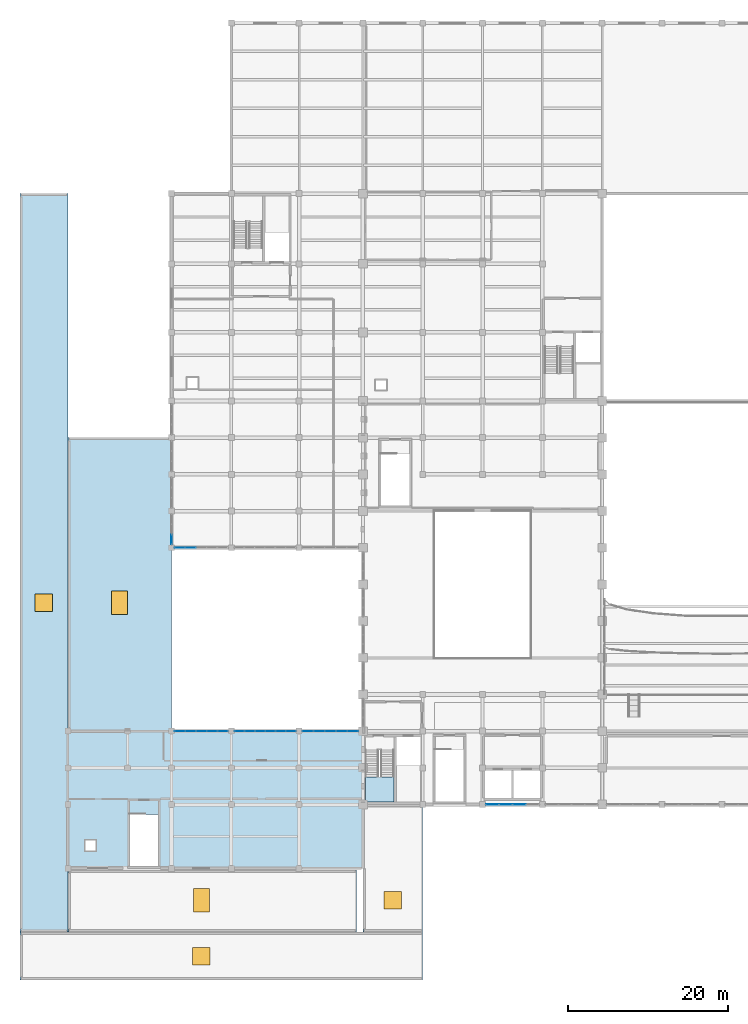
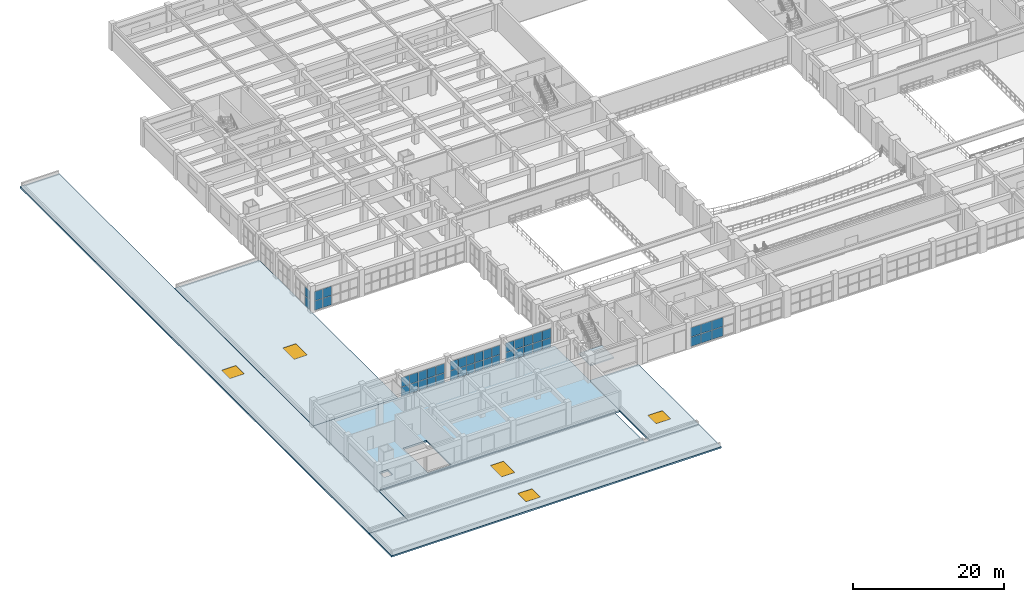
# One storey, part 54 of 90: 44 plates, 7 slabs, 5 windows, 5 openings, 7 elements without a shape of their own.
"""IFC4 building model written with IfcOpenShell, lengths in metres."""

from ifc_helpers import new_model, si_unit, direction, frame, origin, origin_2d, place, context, subcontext, project, spatial, polyline, rectangle, outline, extrude, material, layer, layer_set, type_object, element, fill, aggregate, save


model = new_model("IFC4")

# Units and contexts
model_context = context("Model", 3, precision=1e-05, world=origin(), true_north=direction((0.0, 1.0)))
body_context = subcontext(model_context, "Body", "Model", "MODEL_VIEW")
ifc_project = project(units=[si_unit("LENGTHUNIT", "METRE"), si_unit("AREAUNIT", "SQUARE_METRE"), si_unit("VOLUMEUNIT", "CUBIC_METRE"), si_unit("PLANEANGLEUNIT", "RADIAN"), si_unit("MASSUNIT", "GRAM", prefix="KILO")], contexts=[model_context])

# Site, building, storey
site_placement = place(None, origin())
site = spatial("IfcSite", under=ifc_project, at=site_placement, CompositionType="ELEMENT")
building_placement = place(site_placement, origin())
building = spatial("IfcBuilding", under=site, at=building_placement, Name="Muzn Square Opera House", CompositionType="ELEMENT")
storey_placement = place(building_placement, frame((0.0, 0.0, 9.800048828125)))
storey = spatial("IfcBuildingStorey", under=building, at=storey_placement, Name="L02", CompositionType="ELEMENT", Elevation=9.800048828125)

# Curtain wall, plates
ifc_material_1 = material(Name="Low-E laminated acoustic double glazing", Category="glass")
ifc_layer_1 = layer(ifc_material_1, 0.159912109375, Name="Low-E laminated acoustic double glazing", Category="glass")
ifc_layer_set_1 = layer_set([ifc_layer_1], Name="Low-E laminated acoustic double glazing")
curtain_wall_type_1 = type_object("IfcCurtainWallType", Name="Glazed Curtain Wall Forecourt 6750x3150", PredefinedType="USERDEFINED", material=ifc_layer_set_1)
curtain_wall_1_placement = place(storey_placement, origin())
curtain_wall_1 = element("IfcCurtainWall", 1, at=curtain_wall_1_placement, inside=storey, type_object=curtain_wall_type_1, Name="Glazed Curtain Wall CW-L02-011", ObjectType="GLAZED CURTAIN WALL", PredefinedType="USERDEFINED")
ifc_layer_2 = layer(ifc_material_1, 0.028076171875, Name="Low-E laminated acoustic double glazing", Category="glass")
ifc_layer_set_2 = layer_set([ifc_layer_2], Name="Low-E laminated acoustic double glazing")
plate_type = type_object("IfcPlateType", Name="Curtain Wall Acoustic Glazed Panel 28mm", PredefinedType="CURTAIN_PANEL", material=ifc_layer_set_2)
plate_1_placement = place(storey_placement, frame((59.233642578125, 22.0, 0.06005859375), z_axis=(0.0, 0.0, 1.0), x_axis=(1.0, 0.0, 0.0)))
plate_1 = element("IfcPlate", 2, at=plate_1_placement, type_object=plate_type, Name="CW-FC-67x31 panel 1.1", PredefinedType="CURTAIN_PANEL", context=body_context, shape_type="SweptSolid", body=[
    extrude(rectangle(XDim=1.597412109375, YDim=0.028076171875, at=origin_2d()), origin(), (0.0, 0.0, 1.0), 1.485107421875),
])
plate_2_placement = place(storey_placement, frame((59.233642578125, 22.0, 1.60498046875), z_axis=(0.0, 0.0, 1.0), x_axis=(1.0, 0.0, 0.0)))
plate_2 = element("IfcPlate", 3, at=plate_2_placement, type_object=plate_type, Name="CW-FC-67x31 panel 1.2", PredefinedType="CURTAIN_PANEL", context=body_context, shape_type="SweptSolid", body=[
    extrude(rectangle(XDim=1.597412109375, YDim=0.028076171875, at=origin_2d()), origin(), (0.0, 0.0, 1.0), 1.485107421875),
])
plate_3_placement = place(storey_placement, frame((60.90625, 22.0, 0.06005859375), z_axis=(0.0, 0.0, 1.0), x_axis=(1.0, 0.0, 0.0)))
plate_3 = element("IfcPlate", 4, at=plate_3_placement, type_object=plate_type, Name="CW-FC-67x31 panel 2.1", PredefinedType="CURTAIN_PANEL", context=body_context, shape_type="SweptSolid", body=[
    extrude(rectangle(XDim=1.62744140625, YDim=0.028076171875, at=origin_2d()), origin(), (0.0, 0.0, 1.0), 1.485107421875),
])
plate_4_placement = place(storey_placement, frame((60.90625, 22.0, 1.60498046875), z_axis=(0.0, 0.0, 1.0), x_axis=(1.0, 0.0, 0.0)))
plate_4 = element("IfcPlate", 5, at=plate_4_placement, type_object=plate_type, Name="CW-FC-67x31 panel 2.2", PredefinedType="CURTAIN_PANEL", context=body_context, shape_type="SweptSolid", body=[
    extrude(rectangle(XDim=1.62744140625, YDim=0.028076171875, at=origin_2d()), origin(), (0.0, 0.0, 1.0), 1.485107421875),
])
plate_5_placement = place(storey_placement, frame((62.59375, 22.0, 0.06005859375), z_axis=(0.0, 0.0, 1.0), x_axis=(1.0, 0.0, 0.0)))
plate_5 = element("IfcPlate", 6, at=plate_5_placement, type_object=plate_type, Name="CW-FC-67x31 panel 3.1", PredefinedType="CURTAIN_PANEL", context=body_context, shape_type="SweptSolid", body=[
    extrude(rectangle(XDim=1.62744140625, YDim=0.028076171875, at=origin_2d()), origin(), (0.0, 0.0, 1.0), 1.485107421875),
])
plate_6_placement = place(storey_placement, frame((62.59375, 22.0, 1.60498046875), z_axis=(0.0, 0.0, 1.0), x_axis=(1.0, 0.0, 0.0)))
plate_6 = element("IfcPlate", 7, at=plate_6_placement, type_object=plate_type, Name="CW-FC-67x31 panel 3.2", PredefinedType="CURTAIN_PANEL", context=body_context, shape_type="SweptSolid", body=[
    extrude(rectangle(XDim=1.62744140625, YDim=0.028076171875, at=origin_2d()), origin(), (0.0, 0.0, 1.0), 1.485107421875),
])
aggregate(curtain_wall_1, [plate_1, plate_2, plate_3, plate_4, plate_5, plate_6])

ifc_layer_3 = layer(ifc_material_1, 0.159912109375, Name="Low-E laminated acoustic double glazing", Category="glass")
ifc_layer_set_3 = layer_set([ifc_layer_3], Name="Low-E laminated acoustic double glazing")
curtain_wall_type_2 = type_object("IfcCurtainWallType", Name="Glazed Curtain Wall WestCloisterS 6750x3150", PredefinedType="USERDEFINED", material=ifc_layer_set_3)
curtain_wall_2_placement = place(storey_placement, origin())
curtain_wall_2 = element("IfcCurtainWall", 8, at=curtain_wall_2_placement, inside=storey, type_object=curtain_wall_type_2, Name="Glazed Curtain Wall CW-L02-093", ObjectType="GLAZED CURTAIN WALL", PredefinedType="USERDEFINED")
plate_7_placement = place(storey_placement, frame((20.06494140625, 31.199951171875, 0.06005859375), z_axis=(0.0, 0.0, 1.0), x_axis=(1.0, 0.0, 0.0)))
plate_7 = element("IfcPlate", 9, at=plate_7_placement, type_object=plate_type, Name="CW-WCS-67x31 panel 1.1", PredefinedType="CURTAIN_PANEL", context=body_context, shape_type="SweptSolid", body=[
    extrude(rectangle(XDim=1.260009765625, YDim=0.028076171875, at=origin_2d()), origin(), (0.0, 0.0, 1.0), 1.485107421875),
])
plate_8_placement = place(storey_placement, frame((20.06494140625, 31.199951171875, 1.60498046875), z_axis=(0.0, 0.0, 1.0), x_axis=(1.0, 0.0, 0.0)))
plate_8 = element("IfcPlate", 10, at=plate_8_placement, type_object=plate_type, Name="CW-WCS-67x31 panel 1.2", PredefinedType="CURTAIN_PANEL", context=body_context, shape_type="SweptSolid", body=[
    extrude(rectangle(XDim=1.260009765625, YDim=0.028076171875, at=origin_2d()), origin(), (0.0, 0.0, 1.0), 1.485107421875),
])
plate_9_placement = place(storey_placement, frame((21.39990234375, 31.199951171875, 0.06005859375), z_axis=(0.0, 0.0, 1.0), x_axis=(1.0, 0.0, 0.0)))
plate_9 = element("IfcPlate", 11, at=plate_9_placement, type_object=plate_type, Name="CW-WCS-67x31 panel 2.1", PredefinedType="CURTAIN_PANEL", context=body_context, shape_type="SweptSolid", body=[
    extrude(rectangle(XDim=1.2900390625, YDim=0.028076171875, at=origin_2d()), origin(), (0.0, 0.0, 1.0), 1.485107421875),
])
plate_10_placement = place(storey_placement, frame((21.39990234375, 31.199951171875, 1.60498046875), z_axis=(0.0, 0.0, 1.0), x_axis=(1.0, 0.0, 0.0)))
plate_10 = element("IfcPlate", 12, at=plate_10_placement, type_object=plate_type, Name="CW-WCS-67x31 panel 2.2", PredefinedType="CURTAIN_PANEL", context=body_context, shape_type="SweptSolid", body=[
    extrude(rectangle(XDim=1.2900390625, YDim=0.028076171875, at=origin_2d()), origin(), (0.0, 0.0, 1.0), 1.485107421875),
])
plate_11_placement = place(storey_placement, frame((22.75, 31.199951171875, 0.06005859375), z_axis=(0.0, 0.0, 1.0), x_axis=(1.0, 0.0, 0.0)))
plate_11 = element("IfcPlate", 13, at=plate_11_placement, type_object=plate_type, Name="CW-WCS-67x31 panel 3.1", PredefinedType="CURTAIN_PANEL", context=body_context, shape_type="SweptSolid", body=[
    extrude(rectangle(XDim=1.2900390625, YDim=0.028076171875, at=origin_2d()), origin(), (0.0, 0.0, 1.0), 1.485107421875),
])
plate_12_placement = place(storey_placement, frame((22.75, 31.199951171875, 1.60498046875), z_axis=(0.0, 0.0, 1.0), x_axis=(1.0, 0.0, 0.0)))
plate_12 = element("IfcPlate", 14, at=plate_12_placement, type_object=plate_type, Name="CW-WCS-67x31 panel 3.2", PredefinedType="CURTAIN_PANEL", context=body_context, shape_type="SweptSolid", body=[
    extrude(rectangle(XDim=1.2900390625, YDim=0.028076171875, at=origin_2d()), origin(), (0.0, 0.0, 1.0), 1.485107421875),
])
plate_13_placement = place(storey_placement, frame((24.10009765625, 31.199951171875, 0.06005859375), z_axis=(0.0, 0.0, 1.0), x_axis=(1.0, 0.0, 0.0)))
plate_13 = element("IfcPlate", 15, at=plate_13_placement, type_object=plate_type, Name="CW-WCS-67x31 panel 4.1", PredefinedType="CURTAIN_PANEL", context=body_context, shape_type="SweptSolid", body=[
    extrude(rectangle(XDim=1.2900390625, YDim=0.028076171875, at=origin_2d()), origin(), (0.0, 0.0, 1.0), 1.485107421875),
])
plate_14_placement = place(storey_placement, frame((24.10009765625, 31.199951171875, 1.60498046875), z_axis=(0.0, 0.0, 1.0), x_axis=(1.0, 0.0, 0.0)))
plate_14 = element("IfcPlate", 16, at=plate_14_placement, type_object=plate_type, Name="CW-WCS-67x31 panel 4.2", PredefinedType="CURTAIN_PANEL", context=body_context, shape_type="SweptSolid", body=[
    extrude(rectangle(XDim=1.2900390625, YDim=0.028076171875, at=origin_2d()), origin(), (0.0, 0.0, 1.0), 1.485107421875),
])
plate_15_placement = place(storey_placement, frame((25.43505859375, 31.199951171875, 0.06005859375), z_axis=(0.0, 0.0, 1.0), x_axis=(1.0, 0.0, 0.0)))
plate_15 = element("IfcPlate", 17, at=plate_15_placement, type_object=plate_type, Name="CW-WCS-67x31 panel 5.1", PredefinedType="CURTAIN_PANEL", context=body_context, shape_type="SweptSolid", body=[
    extrude(rectangle(XDim=1.260009765625, YDim=0.028076171875, at=origin_2d()), origin(), (0.0, 0.0, 1.0), 1.485107421875),
])
plate_16_placement = place(storey_placement, frame((25.43505859375, 31.199951171875, 1.60498046875), z_axis=(0.0, 0.0, 1.0), x_axis=(1.0, 0.0, 0.0)))
plate_16 = element("IfcPlate", 18, at=plate_16_placement, type_object=plate_type, Name="CW-WCS-67x31 panel 5.2", PredefinedType="CURTAIN_PANEL", context=body_context, shape_type="SweptSolid", body=[
    extrude(rectangle(XDim=1.260009765625, YDim=0.028076171875, at=origin_2d()), origin(), (0.0, 0.0, 1.0), 1.485107421875),
])
aggregate(curtain_wall_2, [plate_7, plate_8, plate_9, plate_10, plate_11, plate_12, plate_13, plate_14, plate_15, plate_16])

ifc_layer_4 = layer(ifc_material_1, 0.159912109375, Name="Low-E laminated acoustic double glazing", Category="glass")
ifc_layer_set_4 = layer_set([ifc_layer_4], Name="Low-E laminated acoustic double glazing")
curtain_wall_type_3 = type_object("IfcCurtainWallType", Name="Glazed Curtain Wall WestCloisterN 6750x3150", PredefinedType="USERDEFINED", material=ifc_layer_set_4)
curtain_wall_3_placement = place(storey_placement, origin())
curtain_wall_3 = element("IfcCurtainWall", 19, at=curtain_wall_3_placement, inside=storey, type_object=curtain_wall_type_3, Name="Glazed Curtain Wall CW-L02-094", ObjectType="GLAZED CURTAIN WALL", PredefinedType="USERDEFINED")
plate_17_placement = place(storey_placement, frame((20.06494140625, 54.199951171875, 0.06005859375), z_axis=(0.0, 0.0, 1.0), x_axis=(1.0, 0.0, 0.0)))
plate_17 = element("IfcPlate", 20, at=plate_17_placement, type_object=plate_type, Name="CW-WCN-67x31 panel 1.1", PredefinedType="CURTAIN_PANEL", context=body_context, shape_type="SweptSolid", body=[
    extrude(rectangle(XDim=1.260009765625, YDim=0.028076171875, at=origin_2d()), origin(), (0.0, 0.0, 1.0), 1.485107421875),
])
plate_18_placement = place(storey_placement, frame((20.06494140625, 54.199951171875, 1.60498046875), z_axis=(0.0, 0.0, 1.0), x_axis=(1.0, 0.0, 0.0)))
plate_18 = element("IfcPlate", 21, at=plate_18_placement, type_object=plate_type, Name="CW-WCN-67x31 panel 1.2", PredefinedType="CURTAIN_PANEL", context=body_context, shape_type="SweptSolid", body=[
    extrude(rectangle(XDim=1.260009765625, YDim=0.028076171875, at=origin_2d()), origin(), (0.0, 0.0, 1.0), 1.485107421875),
])
plate_19_placement = place(storey_placement, frame((21.39990234375, 54.199951171875, 0.06005859375), z_axis=(0.0, 0.0, 1.0), x_axis=(1.0, 0.0, 0.0)))
plate_19 = element("IfcPlate", 22, at=plate_19_placement, type_object=plate_type, Name="CW-WCN-67x31 panel 2.1", PredefinedType="CURTAIN_PANEL", context=body_context, shape_type="SweptSolid", body=[
    extrude(rectangle(XDim=1.2900390625, YDim=0.028076171875, at=origin_2d()), origin(), (0.0, 0.0, 1.0), 1.485107421875),
])
plate_20_placement = place(storey_placement, frame((21.39990234375, 54.199951171875, 1.60498046875), z_axis=(0.0, 0.0, 1.0), x_axis=(1.0, 0.0, 0.0)))
plate_20 = element("IfcPlate", 23, at=plate_20_placement, type_object=plate_type, Name="CW-WCN-67x31 panel 2.2", PredefinedType="CURTAIN_PANEL", context=body_context, shape_type="SweptSolid", body=[
    extrude(rectangle(XDim=1.2900390625, YDim=0.028076171875, at=origin_2d()), origin(), (0.0, 0.0, 1.0), 1.485107421875),
])
aggregate(curtain_wall_3, [plate_17, plate_18, plate_19, plate_20])

ifc_layer_5 = layer(ifc_material_1, 0.159912109375, Name="Low-E laminated acoustic double glazing", Category="glass")
ifc_layer_set_5 = layer_set([ifc_layer_5], Name="Low-E laminated acoustic double glazing")
curtain_wall_type_4 = type_object("IfcCurtainWallType", Name="Glazed Curtain Wall WestCloisterS 7750x3150", PredefinedType="USERDEFINED", material=ifc_layer_set_5)
curtain_wall_4_placement = place(storey_placement, origin())
curtain_wall_4 = element("IfcCurtainWall", 24, at=curtain_wall_4_placement, inside=storey, type_object=curtain_wall_type_4, Name="Glazed Curtain Wall CW-L02-095", ObjectType="GLAZED CURTAIN WALL", PredefinedType="USERDEFINED")
plate_21_placement = place(storey_placement, frame((27.535888671875, 31.199951171875, 0.06005859375), z_axis=(0.0, 0.0, 1.0), x_axis=(1.0, 0.0, 0.0)))
plate_21 = element("IfcPlate", 25, at=plate_21_placement, type_object=plate_type, Name="CW-WCS-77x31 panel 1.1", PredefinedType="CURTAIN_PANEL", context=body_context, shape_type="SweptSolid", body=[
    extrude(rectangle(XDim=1.20166015625, YDim=0.028076171875, at=origin_2d()), origin(), (0.0, 0.0, 1.0), 1.485107421875),
])
plate_22_placement = place(storey_placement, frame((27.535888671875, 31.199951171875, 1.60498046875), z_axis=(0.0, 0.0, 1.0), x_axis=(1.0, 0.0, 0.0)))
plate_22 = element("IfcPlate", 26, at=plate_22_placement, type_object=plate_type, Name="CW-WCS-77x31 panel 1.2", PredefinedType="CURTAIN_PANEL", context=body_context, shape_type="SweptSolid", body=[
    extrude(rectangle(XDim=1.20166015625, YDim=0.028076171875, at=origin_2d()), origin(), (0.0, 0.0, 1.0), 1.485107421875),
])
plate_23_placement = place(storey_placement, frame((28.8125, 31.199951171875, 0.06005859375), z_axis=(0.0, 0.0, 1.0), x_axis=(1.0, 0.0, 0.0)))
plate_23 = element("IfcPlate", 27, at=plate_23_placement, type_object=plate_type, Name="CW-WCS-77x31 panel 2.1", PredefinedType="CURTAIN_PANEL", context=body_context, shape_type="SweptSolid", body=[
    extrude(rectangle(XDim=1.231689453125, YDim=0.028076171875, at=origin_2d()), origin(), (0.0, 0.0, 1.0), 1.485107421875),
])
plate_24_placement = place(storey_placement, frame((28.8125, 31.199951171875, 1.60498046875), z_axis=(0.0, 0.0, 1.0), x_axis=(1.0, 0.0, 0.0)))
plate_24 = element("IfcPlate", 28, at=plate_24_placement, type_object=plate_type, Name="CW-WCS-77x31 panel 2.2", PredefinedType="CURTAIN_PANEL", context=body_context, shape_type="SweptSolid", body=[
    extrude(rectangle(XDim=1.231689453125, YDim=0.028076171875, at=origin_2d()), origin(), (0.0, 0.0, 1.0), 1.485107421875),
])
plate_25_placement = place(storey_placement, frame((30.104248046875, 31.199951171875, 0.06005859375), z_axis=(0.0, 0.0, 1.0), x_axis=(1.0, 0.0, 0.0)))
plate_25 = element("IfcPlate", 29, at=plate_25_placement, type_object=plate_type, Name="CW-WCS-77x31 panel 3.1", PredefinedType="CURTAIN_PANEL", context=body_context, shape_type="SweptSolid", body=[
    extrude(rectangle(XDim=1.231689453125, YDim=0.028076171875, at=origin_2d()), origin(), (0.0, 0.0, 1.0), 1.485107421875),
])
plate_26_placement = place(storey_placement, frame((30.104248046875, 31.199951171875, 1.60498046875), z_axis=(0.0, 0.0, 1.0), x_axis=(1.0, 0.0, 0.0)))
plate_26 = element("IfcPlate", 30, at=plate_26_placement, type_object=plate_type, Name="CW-WCS-77x31 panel 3.2", PredefinedType="CURTAIN_PANEL", context=body_context, shape_type="SweptSolid", body=[
    extrude(rectangle(XDim=1.231689453125, YDim=0.028076171875, at=origin_2d()), origin(), (0.0, 0.0, 1.0), 1.485107421875),
])
plate_27_placement = place(storey_placement, frame((31.395751953125, 31.199951171875, 0.06005859375), z_axis=(0.0, 0.0, 1.0), x_axis=(1.0, 0.0, 0.0)))
plate_27 = element("IfcPlate", 31, at=plate_27_placement, type_object=plate_type, Name="CW-WCS-77x31 panel 4.1", PredefinedType="CURTAIN_PANEL", context=body_context, shape_type="SweptSolid", body=[
    extrude(rectangle(XDim=1.231689453125, YDim=0.028076171875, at=origin_2d()), origin(), (0.0, 0.0, 1.0), 1.485107421875),
])
plate_28_placement = place(storey_placement, frame((31.395751953125, 31.199951171875, 1.60498046875), z_axis=(0.0, 0.0, 1.0), x_axis=(1.0, 0.0, 0.0)))
plate_28 = element("IfcPlate", 32, at=plate_28_placement, type_object=plate_type, Name="CW-WCS-77x31 panel 4.2", PredefinedType="CURTAIN_PANEL", context=body_context, shape_type="SweptSolid", body=[
    extrude(rectangle(XDim=1.231689453125, YDim=0.028076171875, at=origin_2d()), origin(), (0.0, 0.0, 1.0), 1.485107421875),
])
plate_29_placement = place(storey_placement, frame((32.6875, 31.199951171875, 0.06005859375), z_axis=(0.0, 0.0, 1.0), x_axis=(1.0, 0.0, 0.0)))
plate_29 = element("IfcPlate", 33, at=plate_29_placement, type_object=plate_type, Name="CW-WCS-77x31 panel 5.1", PredefinedType="CURTAIN_PANEL", context=body_context, shape_type="SweptSolid", body=[
    extrude(rectangle(XDim=1.231689453125, YDim=0.028076171875, at=origin_2d()), origin(), (0.0, 0.0, 1.0), 1.485107421875),
])
plate_30_placement = place(storey_placement, frame((32.6875, 31.199951171875, 1.60498046875), z_axis=(0.0, 0.0, 1.0), x_axis=(1.0, 0.0, 0.0)))
plate_30 = element("IfcPlate", 34, at=plate_30_placement, type_object=plate_type, Name="CW-WCS-77x31 panel 5.2", PredefinedType="CURTAIN_PANEL", context=body_context, shape_type="SweptSolid", body=[
    extrude(rectangle(XDim=1.231689453125, YDim=0.028076171875, at=origin_2d()), origin(), (0.0, 0.0, 1.0), 1.485107421875),
])
plate_31_placement = place(storey_placement, frame((33.964111328125, 31.199951171875, 0.06005859375), z_axis=(0.0, 0.0, 1.0), x_axis=(1.0, 0.0, 0.0)))
plate_31 = element("IfcPlate", 35, at=plate_31_placement, type_object=plate_type, Name="CW-WCS-77x31 panel 6.1", PredefinedType="CURTAIN_PANEL", context=body_context, shape_type="SweptSolid", body=[
    extrude(rectangle(XDim=1.20166015625, YDim=0.028076171875, at=origin_2d()), origin(), (0.0, 0.0, 1.0), 1.485107421875),
])
plate_32_placement = place(storey_placement, frame((33.964111328125, 31.199951171875, 1.60498046875), z_axis=(0.0, 0.0, 1.0), x_axis=(1.0, 0.0, 0.0)))
plate_32 = element("IfcPlate", 36, at=plate_32_placement, type_object=plate_type, Name="CW-WCS-77x31 panel 6.2", PredefinedType="CURTAIN_PANEL", context=body_context, shape_type="SweptSolid", body=[
    extrude(rectangle(XDim=1.20166015625, YDim=0.028076171875, at=origin_2d()), origin(), (0.0, 0.0, 1.0), 1.485107421875),
])
aggregate(curtain_wall_4, [plate_21, plate_22, plate_23, plate_24, plate_25, plate_26, plate_27, plate_28, plate_29, plate_30, plate_31, plate_32])

ifc_layer_6 = layer(ifc_material_1, 0.159912109375, Name="Low-E laminated acoustic double glazing", Category="glass")
ifc_layer_set_6 = layer_set([ifc_layer_6], Name="Low-E laminated acoustic double glazing")
curtain_wall_type_5 = type_object("IfcCurtainWallType", Name="Glazed Curtain Wall WestCloisterS 7075x3150", PredefinedType="USERDEFINED", material=ifc_layer_set_6)
curtain_wall_5_placement = place(storey_placement, origin())
curtain_wall_5 = element("IfcCurtainWall", 37, at=curtain_wall_5_placement, inside=storey, type_object=curtain_wall_type_5, Name="Glazed Curtain Wall CW-L02-097", ObjectType="GLAZED CURTAIN WALL", PredefinedType="USERDEFINED")
plate_33_placement = place(storey_placement, frame((36.097412109375, 31.199951171875, 0.06005859375), z_axis=(0.0, 0.0, 1.0), x_axis=(1.0, 0.0, 0.0)))
plate_33 = element("IfcPlate", 38, at=plate_33_placement, type_object=plate_type, Name="CW-WCS-70x31 panel 1.1", PredefinedType="CURTAIN_PANEL", context=body_context, shape_type="SweptSolid", body=[
    extrude(rectangle(XDim=1.324951171875, YDim=0.028076171875, at=origin_2d()), origin(), (0.0, 0.0, 1.0), 1.485107421875),
])
plate_34_placement = place(storey_placement, frame((36.097412109375, 31.199951171875, 1.60498046875), z_axis=(0.0, 0.0, 1.0), x_axis=(1.0, 0.0, 0.0)))
plate_34 = element("IfcPlate", 39, at=plate_34_placement, type_object=plate_type, Name="CW-WCS-70x31 panel 1.2", PredefinedType="CURTAIN_PANEL", context=body_context, shape_type="SweptSolid", body=[
    extrude(rectangle(XDim=1.324951171875, YDim=0.028076171875, at=origin_2d()), origin(), (0.0, 0.0, 1.0), 1.485107421875),
])
plate_35_placement = place(storey_placement, frame((37.49755859375, 31.199951171875, 0.06005859375), z_axis=(0.0, 0.0, 1.0), x_axis=(1.0, 0.0, 0.0)))
plate_35 = element("IfcPlate", 40, at=plate_35_placement, type_object=plate_type, Name="CW-WCS-70x31 panel 2.1", PredefinedType="CURTAIN_PANEL", context=body_context, shape_type="SweptSolid", body=[
    extrude(rectangle(XDim=1.35498046875, YDim=0.028076171875, at=origin_2d()), origin(), (0.0, 0.0, 1.0), 1.485107421875),
])
plate_36_placement = place(storey_placement, frame((37.49755859375, 31.199951171875, 1.60498046875), z_axis=(0.0, 0.0, 1.0), x_axis=(1.0, 0.0, 0.0)))
plate_36 = element("IfcPlate", 41, at=plate_36_placement, type_object=plate_type, Name="CW-WCS-70x31 panel 2.2", PredefinedType="CURTAIN_PANEL", context=body_context, shape_type="SweptSolid", body=[
    extrude(rectangle(XDim=1.35498046875, YDim=0.028076171875, at=origin_2d()), origin(), (0.0, 0.0, 1.0), 1.485107421875),
])
plate_37_placement = place(storey_placement, frame((38.91259765625, 31.199951171875, 0.06005859375), z_axis=(0.0, 0.0, 1.0), x_axis=(1.0, 0.0, 0.0)))
plate_37 = element("IfcPlate", 42, at=plate_37_placement, type_object=plate_type, Name="CW-WCS-70x31 panel 3.1", PredefinedType="CURTAIN_PANEL", context=body_context, shape_type="SweptSolid", body=[
    extrude(rectangle(XDim=1.35498046875, YDim=0.028076171875, at=origin_2d()), origin(), (0.0, 0.0, 1.0), 1.485107421875),
])
plate_38_placement = place(storey_placement, frame((38.91259765625, 31.199951171875, 1.60498046875), z_axis=(0.0, 0.0, 1.0), x_axis=(1.0, 0.0, 0.0)))
plate_38 = element("IfcPlate", 43, at=plate_38_placement, type_object=plate_type, Name="CW-WCS-70x31 panel 3.2", PredefinedType="CURTAIN_PANEL", context=body_context, shape_type="SweptSolid", body=[
    extrude(rectangle(XDim=1.35498046875, YDim=0.028076171875, at=origin_2d()), origin(), (0.0, 0.0, 1.0), 1.485107421875),
])
plate_39_placement = place(storey_placement, frame((40.327392578125, 31.199951171875, 0.06005859375), z_axis=(0.0, 0.0, 1.0), x_axis=(1.0, 0.0, 0.0)))
plate_39 = element("IfcPlate", 44, at=plate_39_placement, type_object=plate_type, Name="CW-WCS-70x31 panel 4.1", PredefinedType="CURTAIN_PANEL", context=body_context, shape_type="SweptSolid", body=[
    extrude(rectangle(XDim=1.35498046875, YDim=0.028076171875, at=origin_2d()), origin(), (0.0, 0.0, 1.0), 1.485107421875),
])
plate_40_placement = place(storey_placement, frame((40.327392578125, 31.199951171875, 1.60498046875), z_axis=(0.0, 0.0, 1.0), x_axis=(1.0, 0.0, 0.0)))
plate_40 = element("IfcPlate", 45, at=plate_40_placement, type_object=plate_type, Name="CW-WCS-70x31 panel 4.2", PredefinedType="CURTAIN_PANEL", context=body_context, shape_type="SweptSolid", body=[
    extrude(rectangle(XDim=1.35498046875, YDim=0.028076171875, at=origin_2d()), origin(), (0.0, 0.0, 1.0), 1.485107421875),
])
plate_41_placement = place(storey_placement, frame((41.7275390625, 31.199951171875, 0.06005859375), z_axis=(0.0, 0.0, 1.0), x_axis=(1.0, 0.0, 0.0)))
plate_41 = element("IfcPlate", 46, at=plate_41_placement, type_object=plate_type, Name="CW-WCS-70x31 panel 5.1", PredefinedType="CURTAIN_PANEL", context=body_context, shape_type="SweptSolid", body=[
    extrude(rectangle(XDim=1.324951171875, YDim=0.028076171875, at=origin_2d()), origin(), (0.0, 0.0, 1.0), 1.485107421875),
])
plate_42_placement = place(storey_placement, frame((41.7275390625, 31.199951171875, 1.60498046875), z_axis=(0.0, 0.0, 1.0), x_axis=(1.0, 0.0, 0.0)))
plate_42 = element("IfcPlate", 47, at=plate_42_placement, type_object=plate_type, Name="CW-WCS-70x31 panel 5.2", PredefinedType="CURTAIN_PANEL", context=body_context, shape_type="SweptSolid", body=[
    extrude(rectangle(XDim=1.324951171875, YDim=0.028076171875, at=origin_2d()), origin(), (0.0, 0.0, 1.0), 1.485107421875),
])
aggregate(curtain_wall_5, [plate_33, plate_34, plate_35, plate_36, plate_37, plate_38, plate_39, plate_40, plate_41, plate_42])

ifc_layer_7 = layer(ifc_material_1, 0.159912109375, Name="Low-E laminated acoustic double glazing", Category="glass")
ifc_layer_set_7 = layer_set([ifc_layer_7], Name="Low-E laminated acoustic double glazing")
curtain_wall_type_6 = type_object("IfcCurtainWallType", Name="Glazed Curtain Wall WestCourt 3850x3150", PredefinedType="USERDEFINED", material=ifc_layer_set_7)
curtain_wall_6_placement = place(storey_placement, origin())
curtain_wall_6 = element("IfcCurtainWall", 48, at=curtain_wall_6_placement, inside=storey, type_object=curtain_wall_type_6, Name="Glazed Curtain Wall CW-L02-148", ObjectType="GLAZED CURTAIN WALL", PredefinedType="USERDEFINED")
plate_43_placement = place(storey_placement, frame((19.0, 55.231689453125, 0.06005859375), z_axis=(0.0, 0.0, 1.0), x_axis=(0.0, 1.0, 0.0)))
plate_43 = element("IfcPlate", 49, at=plate_43_placement, type_object=plate_type, Name="CW-WCT-38x31 panel 1.1", PredefinedType="CURTAIN_PANEL", context=body_context, shape_type="SweptSolid", body=[
    extrude(rectangle(XDim=1.193359375, YDim=0.028076171875, at=origin_2d()), origin(), (0.0, 0.0, 1.0), 1.485107421875),
])
plate_44_placement = place(storey_placement, frame((19.0, 55.231689453125, 1.60498046875), z_axis=(0.0, 0.0, 1.0), x_axis=(0.0, 1.0, 0.0)))
plate_44 = element("IfcPlate", 50, at=plate_44_placement, type_object=plate_type, Name="CW-WCT-38x31 panel 1.2", PredefinedType="CURTAIN_PANEL", context=body_context, shape_type="SweptSolid", body=[
    extrude(rectangle(XDim=1.193359375, YDim=0.028076171875, at=origin_2d()), origin(), (0.0, 0.0, 1.0), 1.485107421875),
])
aggregate(curtain_wall_6, [plate_43, plate_44])

# Slab
ifc_material_2 = material(Name="Concrete C40/50", Category="concrete")
ifc_layer_8 = layer(ifc_material_2, 0.280029296875, Name="Concrete C40/50", Category="concrete")
ifc_layer_set_8 = layer_set([ifc_layer_8], Name="Concrete C40/50")
slab_type_1 = type_object("IfcSlabType", Name="Floor Slab 280mm", PredefinedType="FLOOR", material=ifc_layer_set_8)
slab_1_placement = place(storey_placement, frame((0.0, 0.0, -0.280029296875)))
element("IfcSlab", 51, at=slab_1_placement, inside=storey, type_object=slab_type_1, Name="Floor Slab SLB-L02-WSOUTH", PredefinedType="FLOOR", context=body_context, shape_type="SweptSolid", body=[
    extrude(outline(polyline([(6.0, 14.0), (43.0, 14.0), (43.0, 31.199951171875), (6.0, 31.199951171875), (6.0, 14.0)]), holes=[polyline([(13.75, 14.25), (17.35009765625, 14.25), (17.35009765625, 20.781982421875), (13.75, 20.781982421875), (13.75, 14.25)]), polyline([(8.199951171875, 16.199951171875), (9.5, 16.199951171875), (9.5, 17.5), (8.199951171875, 17.5), (8.199951171875, 16.199951171875)])]), origin(), (0.0, 0.0, 1.0), 0.280029296875),
])

# Slab, opening, window
ifc_layer_9 = layer(ifc_material_2, 0.25, Name="Concrete C40/50", Category="concrete")
ifc_layer_set_9 = layer_set([ifc_layer_9], Name="Concrete C40/50")
slab_type_2 = type_object("IfcSlabType", Name="Roof Slab 250mm", PredefinedType="ROOF", material=ifc_layer_set_9)
slab_2_placement = place(storey_placement, frame((0.0, 0.0, -0.25)))
slab_2 = element("IfcSlab", 52, at=slab_2_placement, inside=storey, type_object=slab_type_2, Name="Flat Roof Slab ROOF-L02-COL-WS", PredefinedType="ROOF", context=body_context, shape_type="SweptSolid", body=[
    extrude(outline(polyline([(0.0, 0.0), (50.5, 0.0), (50.5, 6.0), (0.0, 6.0), (0.0, 0.0)])), origin(), (0.0, 0.0, 1.0), 0.25),
])
opening_1_placement = place(slab_2_placement, frame((22.75, 3.0, -0.010009765625)))
opening_1 = element("IfcOpeningElement", 53, at=opening_1_placement, cuts=slab_2, Name="Opening SK-2222", PredefinedType="OPENING", context=body_context, shape_type="SweptSolid", body=[
    extrude(rectangle(XDim=2.199951171875, YDim=2.199951171875, at=origin_2d()), origin(), (0.0, 0.0, 1.0), 0.27001953125),
])
window_type_1 = type_object("IfcWindowType", Name="Roof Skylight 2200x2200", PartitioningType="SINGLE_PANEL", PredefinedType="SKYLIGHT", material=ifc_material_1)
window_1_placement = place(slab_2_placement, frame((22.75, 3.0, 0.18994140625)))
window_1 = element("IfcWindow", 54, at=window_1_placement, inside=storey, type_object=window_type_1, Name="Acoustic Roof Skylight SKY-L02-01", OverallHeight=2.199951171875, OverallWidth=2.199951171875, PartitioningType="SINGLE_PANEL", PredefinedType="SKYLIGHT", context=body_context, shape_type="SweptSolid", body=[
    extrude(rectangle(XDim=2.199951171875, YDim=2.199951171875, at=origin_2d()), origin(), (0.0, 0.0, 1.0), 0.06005859375),
])
fill(opening_1, window_1)

slab_3_placement = place(storey_placement, frame((0.0, 0.0, -0.25)))
slab_3 = element("IfcSlab", 55, at=slab_3_placement, inside=storey, type_object=slab_type_2, Name="Flat Roof Slab ROOF-L02-COL-WFC", PredefinedType="ROOF", context=body_context, shape_type="SweptSolid", body=[
    extrude(outline(polyline([(43.0, 6.0), (50.5, 6.0), (50.5, 22.0), (43.0, 22.0), (43.0, 6.0)])), origin(), (0.0, 0.0, 1.0), 0.25),
])
opening_2_placement = place(slab_3_placement, frame((46.75, 10.0, -0.010009765625)))
opening_2 = element("IfcOpeningElement", 56, at=opening_2_placement, cuts=slab_3, Name="Opening SK-2222", PredefinedType="OPENING", context=body_context, shape_type="SweptSolid", body=[
    extrude(rectangle(XDim=2.199951171875, YDim=2.199951171875, at=origin_2d()), origin(), (0.0, 0.0, 1.0), 0.27001953125),
])
window_2_placement = place(slab_3_placement, frame((46.75, 10.0, 0.18994140625)))
window_2 = element("IfcWindow", 57, at=window_2_placement, inside=storey, type_object=window_type_1, Name="Acoustic Roof Skylight SKY-L02-02", OverallHeight=2.199951171875, OverallWidth=2.199951171875, PartitioningType="SINGLE_PANEL", PredefinedType="SKYLIGHT", context=body_context, shape_type="SweptSolid", body=[
    extrude(rectangle(XDim=2.199951171875, YDim=2.199951171875, at=origin_2d()), origin(), (0.0, 0.0, 1.0), 0.06005859375),
])
fill(opening_2, window_2)

slab_4_placement = place(storey_placement, frame((0.0, 0.0, -0.25)))
slab_4 = element("IfcSlab", 58, at=slab_4_placement, inside=storey, type_object=slab_type_2, Name="Flat Roof Slab ROOF-L02-COL-WB", PredefinedType="ROOF", context=body_context, shape_type="SweptSolid", body=[
    extrude(outline(polyline([(0.0, 6.0), (6.0, 6.0), (6.0, 98.60009765625), (0.0, 98.60009765625), (0.0, 6.0)])), origin(), (0.0, 0.0, 1.0), 0.25),
])
opening_3_placement = place(slab_4_placement, frame((3.0, 47.300048828125, -0.010009765625)))
opening_3 = element("IfcOpeningElement", 59, at=opening_3_placement, cuts=slab_4, Name="Opening SK-2222", PredefinedType="OPENING", context=body_context, shape_type="SweptSolid", body=[
    extrude(rectangle(XDim=2.199951171875, YDim=2.199951171875, at=origin_2d()), origin(), (0.0, 0.0, 1.0), 0.27001953125),
])
window_3_placement = place(slab_4_placement, frame((3.0, 47.300048828125, 0.18994140625)))
window_3 = element("IfcWindow", 60, at=window_3_placement, inside=storey, type_object=window_type_1, Name="Acoustic Roof Skylight SKY-L02-05", OverallHeight=2.199951171875, OverallWidth=2.199951171875, PartitioningType="SINGLE_PANEL", PredefinedType="SKYLIGHT", context=body_context, shape_type="SweptSolid", body=[
    extrude(rectangle(XDim=2.199951171875, YDim=2.199951171875, at=origin_2d()), origin(), (0.0, 0.0, 1.0), 0.06005859375),
])
fill(opening_3, window_3)

slab_5_placement = place(storey_placement, frame((0.0, 0.0, -0.25)))
slab_5 = element("IfcSlab", 61, at=slab_5_placement, inside=storey, type_object=slab_type_2, Name="Flat Roof Slab ROOF-L02-WOUTER", PredefinedType="ROOF", context=body_context, shape_type="SweptSolid", body=[
    extrude(outline(polyline([(6.0, 31.199951171875), (19.0, 31.199951171875), (19.0, 68.0), (6.0, 68.0), (6.0, 31.199951171875)])), origin(), (0.0, 0.0, 1.0), 0.25),
])
opening_4_placement = place(slab_5_placement, frame((12.5, 47.300048828125, -0.010009765625)))
opening_4 = element("IfcOpeningElement", 62, at=opening_4_placement, cuts=slab_5, Name="Opening SK-2030", PredefinedType="OPENING", context=body_context, shape_type="SweptSolid", body=[
    extrude(rectangle(XDim=2.0, YDim=3.0, at=origin_2d()), origin(), (0.0, 0.0, 1.0), 0.27001953125),
])
window_type_2 = type_object("IfcWindowType", Name="Roof Skylight 2000x3000", PartitioningType="SINGLE_PANEL", PredefinedType="SKYLIGHT", material=ifc_material_1)
window_4_placement = place(slab_5_placement, frame((12.5, 47.300048828125, 0.18994140625)))
window_4 = element("IfcWindow", 63, at=window_4_placement, inside=storey, type_object=window_type_2, Name="Acoustic Roof Skylight SKY-L02-07", OverallHeight=3.0, OverallWidth=2.0, PartitioningType="SINGLE_PANEL", PredefinedType="SKYLIGHT", context=body_context, shape_type="SweptSolid", body=[
    extrude(rectangle(XDim=2.0, YDim=3.0, at=origin_2d()), origin(), (0.0, 0.0, 1.0), 0.06005859375),
])
fill(opening_4, window_4)

slab_6_placement = place(storey_placement, frame((0.0, 0.0, -0.25)))
slab_6 = element("IfcSlab", 64, at=slab_6_placement, inside=storey, type_object=slab_type_2, Name="Flat Roof Slab ROOF-L02-WSSTEP", PredefinedType="ROOF", context=body_context, shape_type="SweptSolid", body=[
    extrude(outline(polyline([(6.0, 6.0), (42.199951171875, 6.0), (42.199951171875, 13.800048828125), (6.0, 13.800048828125), (6.0, 6.0)])), origin(), (0.0, 0.0, 1.0), 0.25),
])
opening_5_placement = place(slab_6_placement, frame((22.75, 10.0, -0.010009765625)))
opening_5 = element("IfcOpeningElement", 65, at=opening_5_placement, cuts=slab_6, Name="Opening SK-2030", PredefinedType="OPENING", context=body_context, shape_type="SweptSolid", body=[
    extrude(rectangle(XDim=2.0, YDim=3.0, at=origin_2d()), origin(), (0.0, 0.0, 1.0), 0.27001953125),
])
window_5_placement = place(slab_6_placement, frame((22.75, 10.0, 0.18994140625)))
window_5 = element("IfcWindow", 66, at=window_5_placement, inside=storey, type_object=window_type_2, Name="Acoustic Roof Skylight SKY-L02-09", OverallHeight=3.0, OverallWidth=2.0, PartitioningType="SINGLE_PANEL", PredefinedType="SKYLIGHT", context=body_context, shape_type="SweptSolid", body=[
    extrude(rectangle(XDim=2.0, YDim=3.0, at=origin_2d()), origin(), (0.0, 0.0, 1.0), 0.06005859375),
])
fill(opening_5, window_5)

# Stair, slab
stair_type = type_object("IfcStairType", Name="Core Escape Dogleg Stair", PredefinedType="HALF_TURN_STAIR", material=ifc_material_2)
stair_placement = place(storey_placement, origin())
stair = element("IfcStair", 67, at=stair_placement, inside=storey, type_object=stair_type, Name="L02 Escape Stair ST-3", PredefinedType="HALF_TURN_STAIR")
ifc_layer_10 = layer(ifc_material_2, 0.199951171875, Name="Concrete C40/50", Category="concrete")
ifc_layer_set_10 = layer_set([ifc_layer_10], Name="Concrete C40/50")
slab_type_3 = type_object("IfcSlabType", Name="Stair Half Landing 200mm", PredefinedType="LANDING", material=ifc_layer_set_10)
slab_7_placement = place(storey_placement, frame((0.0, 0.0, 2.0)))
slab_7 = element("IfcSlab", 68, at=slab_7_placement, type_object=slab_type_3, Name="ST-3 landing 1", PredefinedType="LANDING", context=body_context, shape_type="SweptSolid", body=[
    extrude(outline(polyline([(43.300048828125, 25.47998046875), (43.300048828125, 22.300048828125), (46.89990234375, 22.300048828125), (46.89990234375, 25.47998046875), (43.300048828125, 25.47998046875)])), origin(), (0.0, 0.0, 1.0), 0.199951171875),
])
aggregate(stair, [slab_7])

save(model, "model.ifc")
